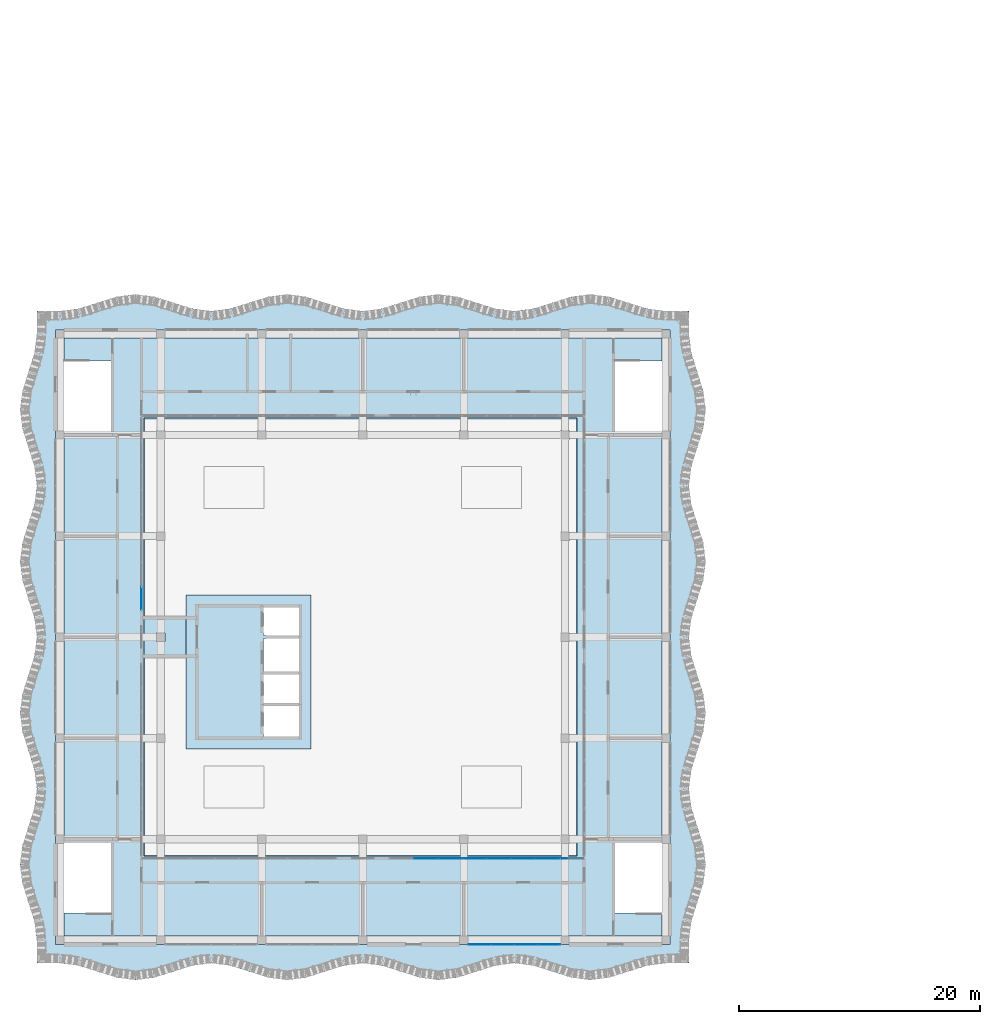
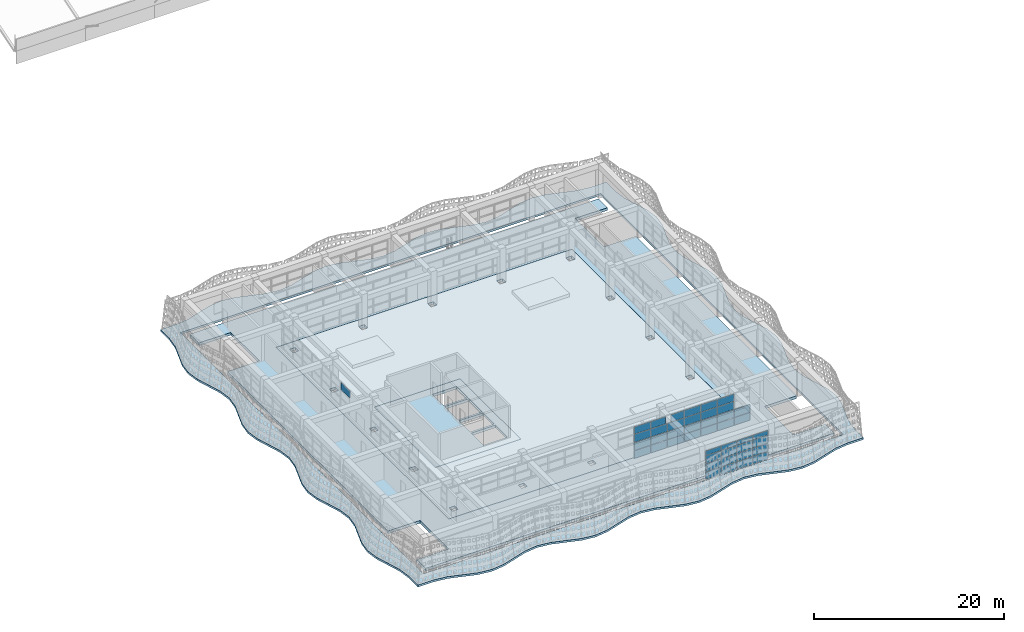
# One storey, part 29 of 85: 43 plates, 4 slabs, 3 elements without a shape of their own.
"""IFC4 building model written with IfcOpenShell, lengths in metres."""

from ifc_helpers import new_model, si_unit, direction, frame, origin, origin_2d, place, context, subcontext, project, spatial, polyline, rectangle, outline, extrude, material, layer, layer_set, type_object, element, aggregate, save


model = new_model("IFC4")

# Units and contexts
model_context = context("Model", 3, precision=1e-05, world=origin(), true_north=direction((0.0, 1.0)))
body_context = subcontext(model_context, "Body", "Model", "MODEL_VIEW")
ifc_project = project(units=[si_unit("LENGTHUNIT", "METRE"), si_unit("AREAUNIT", "SQUARE_METRE"), si_unit("VOLUMEUNIT", "CUBIC_METRE"), si_unit("PLANEANGLEUNIT", "RADIAN"), si_unit("MASSUNIT", "GRAM", prefix="KILO")], contexts=[model_context])

# Site, building, storey
site_placement = place(None, origin())
site = spatial("IfcSite", under=ifc_project, at=site_placement, CompositionType="ELEMENT")
building_placement = place(site_placement, origin())
building = spatial("IfcBuilding", under=site, at=building_placement, Name="Rain Tree Exposition and Congress Centre", CompositionType="ELEMENT")
storey_placement = place(building_placement, frame((0.0, 0.0, 15.0)))
storey = spatial("IfcBuildingStorey", under=building, at=storey_placement, Name="L03", CompositionType="ELEMENT", Elevation=15.0)

# Slabs
ifc_material_1 = material(Name="Concrete C40/50", Category="concrete")
ifc_layer_1 = layer(ifc_material_1, 0.25)
ifc_layer_set_1 = layer_set([ifc_layer_1], Name="Concrete C40/50")
slab_type_1 = type_object("IfcSlabType", Name="Wave ledge slab 250", PredefinedType="FLOOR", material=ifc_layer_set_1)
slab_1_placement = place(storey_placement, frame((0.0, 0.0, -0.25)))
element("IfcSlab", 1, at=slab_1_placement, inside=storey, type_object=slab_type_1, Name="wing/ledge/L03/01", PredefinedType="FLOOR", context=body_context, shape_type="SweptSolid", body=[
    extrude(outline(polyline([(-1.900390625, -1.900390625), (0.0, -1.900390625), (1.574951171875, -2.105224609375), (3.14990234375, -2.600341796875), (4.72509765625, -3.09521484375), (6.300048828125, -3.30029296875), (7.875, -3.09521484375), (9.449951171875, -2.600341796875), (11.02490234375, -2.105224609375), (12.60009765625, -1.900390625), (14.175048828125, -2.105224609375), (15.75, -2.600341796875), (17.324951171875, -3.09521484375), (18.89990234375, -3.30029296875), (20.47509765625, -3.09521484375), (22.050048828125, -2.600341796875), (23.625, -2.105224609375), (25.199951171875, -1.900390625), (26.77490234375, -2.105224609375), (28.35009765625, -2.600341796875), (29.925048828125, -3.09521484375), (31.5, -3.30029296875), (33.074951171875, -3.09521484375), (34.64990234375, -2.600341796875), (36.22509765625, -2.105224609375), (37.800048828125, -1.900390625), (39.375, -2.105224609375), (40.949951171875, -2.600341796875), (42.52490234375, -3.09521484375), (44.10009765625, -3.30029296875), (45.675048828125, -3.09521484375), (47.25, -2.600341796875), (48.824951171875, -2.105224609375), (50.39990234375, -1.900390625), (52.30029296875, -1.900390625), (52.30029296875, 0.0), (52.50537109375, 1.574951171875), (53.000244140625, 3.14990234375), (53.495361328125, 4.72509765625), (53.7001953125, 6.300048828125), (53.495361328125, 7.875), (53.000244140625, 9.449951171875), (52.50537109375, 11.02490234375), (52.30029296875, 12.60009765625), (52.50537109375, 14.175048828125), (53.000244140625, 15.75), (53.495361328125, 17.324951171875), (53.7001953125, 18.89990234375), (53.495361328125, 20.47509765625), (53.000244140625, 22.050048828125), (52.50537109375, 23.625), (52.30029296875, 25.199951171875), (52.50537109375, 26.77490234375), (53.000244140625, 28.35009765625), (53.495361328125, 29.925048828125), (53.7001953125, 31.5), (53.495361328125, 33.074951171875), (53.000244140625, 34.64990234375), (52.50537109375, 36.22509765625), (52.30029296875, 37.800048828125), (52.50537109375, 39.375), (53.000244140625, 40.949951171875), (53.495361328125, 42.52490234375), (53.7001953125, 44.10009765625), (53.495361328125, 45.675048828125), (53.000244140625, 47.25), (52.50537109375, 48.824951171875), (52.30029296875, 50.39990234375), (52.30029296875, 52.30029296875), (50.39990234375, 52.30029296875), (48.824951171875, 52.50537109375), (47.25, 53.000244140625), (45.675048828125, 53.495361328125), (44.10009765625, 53.7001953125), (42.52490234375, 53.495361328125), (40.949951171875, 53.000244140625), (39.375, 52.50537109375), (37.800048828125, 52.30029296875), (36.22509765625, 52.50537109375), (34.64990234375, 53.000244140625), (33.074951171875, 53.495361328125), (31.5, 53.7001953125), (29.925048828125, 53.495361328125), (28.35009765625, 53.000244140625), (26.77490234375, 52.50537109375), (25.199951171875, 52.30029296875), (23.625, 52.50537109375), (22.050048828125, 53.000244140625), (20.47509765625, 53.495361328125), (18.89990234375, 53.7001953125), (17.324951171875, 53.495361328125), (15.75, 53.000244140625), (14.175048828125, 52.50537109375), (12.60009765625, 52.30029296875), (11.02490234375, 52.50537109375), (9.449951171875, 53.000244140625), (7.875, 53.495361328125), (6.300048828125, 53.7001953125), (4.72509765625, 53.495361328125), (3.14990234375, 53.000244140625), (1.574951171875, 52.50537109375), (0.0, 52.30029296875), (-1.900390625, 52.30029296875), (-1.900390625, 50.39990234375), (-2.105224609375, 48.824951171875), (-2.600341796875, 47.25), (-3.09521484375, 45.675048828125), (-3.30029296875, 44.10009765625), (-3.09521484375, 42.52490234375), (-2.600341796875, 40.949951171875), (-2.105224609375, 39.375), (-1.900390625, 37.800048828125), (-2.105224609375, 36.22509765625), (-2.600341796875, 34.64990234375), (-3.09521484375, 33.074951171875), (-3.30029296875, 31.5), (-3.09521484375, 29.925048828125), (-2.600341796875, 28.35009765625), (-2.105224609375, 26.77490234375), (-1.900390625, 25.199951171875), (-2.105224609375, 23.625), (-2.600341796875, 22.050048828125), (-3.09521484375, 20.47509765625), (-3.30029296875, 18.89990234375), (-3.09521484375, 17.324951171875), (-2.600341796875, 15.75), (-2.105224609375, 14.175048828125), (-1.900390625, 12.60009765625), (-2.105224609375, 11.02490234375), (-2.600341796875, 9.449951171875), (-3.09521484375, 7.875), (-3.30029296875, 6.300048828125), (-3.09521484375, 4.72509765625), (-2.600341796875, 3.14990234375), (-2.105224609375, 1.574951171875), (-1.900390625, 0.0), (-1.900390625, -1.900390625)]), holes=[polyline([(50.75, 50.75), (50.75, -0.35009765625), (-0.35009765625, -0.35009765625), (-0.35009765625, 50.75), (50.75, 50.75)])]), origin(), (0.0, 0.0, 1.0), 0.25),
])
ifc_material_2 = material(Name="Precast concrete C50/60", Category="concrete")
ifc_layer_2 = layer(ifc_material_2, 0.35009765625)
ifc_layer_set_2 = layer_set([ifc_layer_2], Name="Precast concrete C50/60")
slab_type_2 = type_object("IfcSlabType", Name="Wing court terrace slab 350", PredefinedType="FLOOR", material=ifc_layer_set_2)
slab_2_placement = place(storey_placement, frame((0.0, 0.0, -0.35009765625)))
element("IfcSlab", 2, at=slab_2_placement, inside=storey, type_object=slab_type_2, Name="Roof court terrace slab 1", PredefinedType="FLOOR", context=body_context, shape_type="SweptSolid", body=[
    extrude(outline(polyline([(7.0, 43.39990234375), (7.0, 7.0), (43.0, 7.0), (43.0, 43.39990234375), (7.0, 43.39990234375)]), holes=[polyline([(8.75, 8.050048828125), (8.050048828125, 8.050048828125), (8.050048828125, 8.75), (8.75, 8.75), (8.75, 8.050048828125)]), polyline([(8.75, 17.14990234375), (8.75, 16.449951171875), (8.050048828125, 16.449951171875), (8.050048828125, 17.14990234375), (8.75, 17.14990234375)]), polyline([(8.75, 24.85009765625), (8.050048828125, 24.85009765625), (8.050048828125, 25.550048828125), (8.75, 25.550048828125), (8.75, 24.85009765625)]), polyline([(8.75, 33.25), (8.050048828125, 33.25), (8.050048828125, 33.949951171875), (8.75, 33.949951171875), (8.75, 33.25)]), polyline([(8.75, 42.35009765625), (8.75, 41.64990234375), (8.050048828125, 41.64990234375), (8.050048828125, 42.35009765625), (8.75, 42.35009765625)]), polyline([(17.14990234375, 8.050048828125), (16.449951171875, 8.050048828125), (16.449951171875, 8.75), (17.14990234375, 8.75), (17.14990234375, 8.050048828125)]), polyline([(25.550048828125, 8.050048828125), (24.85009765625, 8.050048828125), (24.85009765625, 8.75), (25.550048828125, 8.75), (25.550048828125, 8.050048828125)]), polyline([(33.949951171875, 8.75), (33.949951171875, 8.050048828125), (33.25, 8.050048828125), (33.25, 8.75), (33.949951171875, 8.75)]), polyline([(17.14990234375, 41.64990234375), (16.449951171875, 41.64990234375), (16.449951171875, 42.35009765625), (17.14990234375, 42.35009765625), (17.14990234375, 41.64990234375)]), polyline([(25.550048828125, 42.35009765625), (25.550048828125, 41.64990234375), (24.85009765625, 41.64990234375), (24.85009765625, 42.35009765625), (25.550048828125, 42.35009765625)]), polyline([(33.949951171875, 41.64990234375), (33.25, 41.64990234375), (33.25, 42.35009765625), (33.949951171875, 42.35009765625), (33.949951171875, 41.64990234375)]), polyline([(42.35009765625, 8.050048828125), (41.64990234375, 8.050048828125), (41.64990234375, 8.75), (42.35009765625, 8.75), (42.35009765625, 8.050048828125)]), polyline([(42.35009765625, 16.449951171875), (41.64990234375, 16.449951171875), (41.64990234375, 17.14990234375), (42.35009765625, 17.14990234375), (42.35009765625, 16.449951171875)]), polyline([(42.35009765625, 25.550048828125), (42.35009765625, 24.85009765625), (41.64990234375, 24.85009765625), (41.64990234375, 25.550048828125), (42.35009765625, 25.550048828125)]), polyline([(42.35009765625, 33.25), (41.64990234375, 33.25), (41.64990234375, 33.949951171875), (42.35009765625, 33.949951171875), (42.35009765625, 33.25)]), polyline([(42.35009765625, 41.64990234375), (41.64990234375, 41.64990234375), (41.64990234375, 42.35009765625), (42.35009765625, 42.35009765625), (42.35009765625, 41.64990234375)]), polyline([(10.5, 28.699951171875), (20.89990234375, 28.699951171875), (20.89990234375, 15.89990234375), (10.5, 15.89990234375), (10.5, 28.699951171875)])]), origin(), (0.0, 0.0, 1.0), 0.35009765625),
])

# Curtain wall, plates
ifc_material_3 = material(Name="Aluminium curtain wall", Category="aluminium")
curtain_wall_type = type_object("IfcCurtainWallType", Name="Wing curtain wall 1925", PredefinedType="NOTDEFINED", material=ifc_material_3)
curtain_wall_1_placement = place(storey_placement, origin())
curtain_wall_1 = element("IfcCurtainWall", 3, at=curtain_wall_1_placement, inside=storey, type_object=curtain_wall_type, Name="Curtain wall CWW403", PredefinedType="NOTDEFINED")
ifc_material_4 = material(Name="Double glazed unit", Category="glass")
ifc_layer_3 = layer(ifc_material_4, 0.028076171875)
ifc_layer_set_3 = layer_set([ifc_layer_3], Name="Double glazed unit")
plate_type = type_object("IfcPlateType", Name="Wing glazing panel 28", PredefinedType="CURTAIN_PANEL", material=ifc_layer_set_3)
plate_1_placement = place(storey_placement, frame((34.927490234375, -0.35009765625, 0.06005859375), z_axis=(0.0, 0.0, 1.0), x_axis=(1.0, 0.0, 0.0)))
plate_1 = element("IfcPlate", 4, at=plate_1_placement, type_object=plate_type, Name="CWW403 panel 1.1", PredefinedType="CURTAIN_PANEL", context=body_context, shape_type="SweptSolid", body=[
    extrude(rectangle(XDim=1.8349609375, YDim=0.028076171875, at=origin_2d()), origin(), (0.0, 0.0, 1.0), 0.9599609375),
])
plate_2_placement = place(storey_placement, frame((34.927490234375, -0.35009765625, 1.080078125), z_axis=(0.0, 0.0, 1.0), x_axis=(1.0, 0.0, 0.0)))
plate_2 = element("IfcPlate", 5, at=plate_2_placement, type_object=plate_type, Name="CWW403 panel 1.2", PredefinedType="CURTAIN_PANEL", context=body_context, shape_type="SweptSolid", body=[
    extrude(rectangle(XDim=1.8349609375, YDim=0.028076171875, at=origin_2d()), origin(), (0.0, 0.0, 1.0), 0.989990234375),
])
plate_3_placement = place(storey_placement, frame((34.927490234375, -0.35009765625, 2.1298828125), z_axis=(0.0, 0.0, 1.0), x_axis=(1.0, 0.0, 0.0)))
plate_3 = element("IfcPlate", 6, at=plate_3_placement, type_object=plate_type, Name="CWW403 panel 1.3", PredefinedType="CURTAIN_PANEL", context=body_context, shape_type="SweptSolid", body=[
    extrude(rectangle(XDim=1.8349609375, YDim=0.028076171875, at=origin_2d()), origin(), (0.0, 0.0, 1.0), 0.989990234375),
])
plate_4_placement = place(storey_placement, frame((34.927490234375, -0.35009765625, 3.179931640625), z_axis=(0.0, 0.0, 1.0), x_axis=(1.0, 0.0, 0.0)))
plate_4 = element("IfcPlate", 7, at=plate_4_placement, type_object=plate_type, Name="CWW403 panel 1.4", PredefinedType="CURTAIN_PANEL", context=body_context, shape_type="SweptSolid", body=[
    extrude(rectangle(XDim=1.8349609375, YDim=0.028076171875, at=origin_2d()), origin(), (0.0, 0.0, 1.0), 0.56005859375),
])
plate_5_placement = place(storey_placement, frame((36.83740234375, -0.35009765625, 0.06005859375), z_axis=(0.0, 0.0, 1.0), x_axis=(1.0, 0.0, 0.0)))
plate_5 = element("IfcPlate", 8, at=plate_5_placement, type_object=plate_type, Name="CWW403 panel 2.1", PredefinedType="CURTAIN_PANEL", context=body_context, shape_type="SweptSolid", body=[
    extrude(rectangle(XDim=1.864990234375, YDim=0.028076171875, at=origin_2d()), origin(), (0.0, 0.0, 1.0), 0.9599609375),
])
plate_6_placement = place(storey_placement, frame((36.83740234375, -0.35009765625, 1.080078125), z_axis=(0.0, 0.0, 1.0), x_axis=(1.0, 0.0, 0.0)))
plate_6 = element("IfcPlate", 9, at=plate_6_placement, type_object=plate_type, Name="CWW403 panel 2.2", PredefinedType="CURTAIN_PANEL", context=body_context, shape_type="SweptSolid", body=[
    extrude(rectangle(XDim=1.864990234375, YDim=0.028076171875, at=origin_2d()), origin(), (0.0, 0.0, 1.0), 0.989990234375),
])
plate_7_placement = place(storey_placement, frame((36.83740234375, -0.35009765625, 2.1298828125), z_axis=(0.0, 0.0, 1.0), x_axis=(1.0, 0.0, 0.0)))
plate_7 = element("IfcPlate", 10, at=plate_7_placement, type_object=plate_type, Name="CWW403 panel 2.3", PredefinedType="CURTAIN_PANEL", context=body_context, shape_type="SweptSolid", body=[
    extrude(rectangle(XDim=1.864990234375, YDim=0.028076171875, at=origin_2d()), origin(), (0.0, 0.0, 1.0), 0.989990234375),
])
plate_8_placement = place(storey_placement, frame((36.83740234375, -0.35009765625, 3.179931640625), z_axis=(0.0, 0.0, 1.0), x_axis=(1.0, 0.0, 0.0)))
plate_8 = element("IfcPlate", 11, at=plate_8_placement, type_object=plate_type, Name="CWW403 panel 2.4", PredefinedType="CURTAIN_PANEL", context=body_context, shape_type="SweptSolid", body=[
    extrude(rectangle(XDim=1.864990234375, YDim=0.028076171875, at=origin_2d()), origin(), (0.0, 0.0, 1.0), 0.56005859375),
])
plate_9_placement = place(storey_placement, frame((38.762451171875, -0.35009765625, 0.06005859375), z_axis=(0.0, 0.0, 1.0), x_axis=(1.0, 0.0, 0.0)))
plate_9 = element("IfcPlate", 12, at=plate_9_placement, type_object=plate_type, Name="CWW403 panel 3.1", PredefinedType="CURTAIN_PANEL", context=body_context, shape_type="SweptSolid", body=[
    extrude(rectangle(XDim=1.864990234375, YDim=0.028076171875, at=origin_2d()), origin(), (0.0, 0.0, 1.0), 0.9599609375),
])
plate_10_placement = place(storey_placement, frame((38.762451171875, -0.35009765625, 1.080078125), z_axis=(0.0, 0.0, 1.0), x_axis=(1.0, 0.0, 0.0)))
plate_10 = element("IfcPlate", 13, at=plate_10_placement, type_object=plate_type, Name="CWW403 panel 3.2", PredefinedType="CURTAIN_PANEL", context=body_context, shape_type="SweptSolid", body=[
    extrude(rectangle(XDim=1.864990234375, YDim=0.028076171875, at=origin_2d()), origin(), (0.0, 0.0, 1.0), 0.989990234375),
])
plate_11_placement = place(storey_placement, frame((38.762451171875, -0.35009765625, 2.1298828125), z_axis=(0.0, 0.0, 1.0), x_axis=(1.0, 0.0, 0.0)))
plate_11 = element("IfcPlate", 14, at=plate_11_placement, type_object=plate_type, Name="CWW403 panel 3.3", PredefinedType="CURTAIN_PANEL", context=body_context, shape_type="SweptSolid", body=[
    extrude(rectangle(XDim=1.864990234375, YDim=0.028076171875, at=origin_2d()), origin(), (0.0, 0.0, 1.0), 0.989990234375),
])
plate_12_placement = place(storey_placement, frame((38.762451171875, -0.35009765625, 3.179931640625), z_axis=(0.0, 0.0, 1.0), x_axis=(1.0, 0.0, 0.0)))
plate_12 = element("IfcPlate", 15, at=plate_12_placement, type_object=plate_type, Name="CWW403 panel 3.4", PredefinedType="CURTAIN_PANEL", context=body_context, shape_type="SweptSolid", body=[
    extrude(rectangle(XDim=1.864990234375, YDim=0.028076171875, at=origin_2d()), origin(), (0.0, 0.0, 1.0), 0.56005859375),
])
plate_13_placement = place(storey_placement, frame((40.672607421875, -0.35009765625, 0.06005859375), z_axis=(0.0, 0.0, 1.0), x_axis=(1.0, 0.0, 0.0)))
plate_13 = element("IfcPlate", 16, at=plate_13_placement, type_object=plate_type, Name="CWW403 panel 4.1", PredefinedType="CURTAIN_PANEL", context=body_context, shape_type="SweptSolid", body=[
    extrude(rectangle(XDim=1.8349609375, YDim=0.028076171875, at=origin_2d()), origin(), (0.0, 0.0, 1.0), 0.9599609375),
])
plate_14_placement = place(storey_placement, frame((40.672607421875, -0.35009765625, 1.080078125), z_axis=(0.0, 0.0, 1.0), x_axis=(1.0, 0.0, 0.0)))
plate_14 = element("IfcPlate", 17, at=plate_14_placement, type_object=plate_type, Name="CWW403 panel 4.2", PredefinedType="CURTAIN_PANEL", context=body_context, shape_type="SweptSolid", body=[
    extrude(rectangle(XDim=1.8349609375, YDim=0.028076171875, at=origin_2d()), origin(), (0.0, 0.0, 1.0), 0.989990234375),
])
plate_15_placement = place(storey_placement, frame((40.672607421875, -0.35009765625, 2.1298828125), z_axis=(0.0, 0.0, 1.0), x_axis=(1.0, 0.0, 0.0)))
plate_15 = element("IfcPlate", 18, at=plate_15_placement, type_object=plate_type, Name="CWW403 panel 4.3", PredefinedType="CURTAIN_PANEL", context=body_context, shape_type="SweptSolid", body=[
    extrude(rectangle(XDim=1.8349609375, YDim=0.028076171875, at=origin_2d()), origin(), (0.0, 0.0, 1.0), 0.989990234375),
])
plate_16_placement = place(storey_placement, frame((40.672607421875, -0.35009765625, 3.179931640625), z_axis=(0.0, 0.0, 1.0), x_axis=(1.0, 0.0, 0.0)))
plate_16 = element("IfcPlate", 19, at=plate_16_placement, type_object=plate_type, Name="CWW403 panel 4.4", PredefinedType="CURTAIN_PANEL", context=body_context, shape_type="SweptSolid", body=[
    extrude(rectangle(XDim=1.8349609375, YDim=0.028076171875, at=origin_2d()), origin(), (0.0, 0.0, 1.0), 0.56005859375),
])
aggregate(curtain_wall_1, [plate_1, plate_2, plate_3, plate_4, plate_5, plate_6, plate_7, plate_8, plate_9, plate_10, plate_11, plate_12, plate_13, plate_14, plate_15, plate_16])

curtain_wall_2_placement = place(storey_placement, origin())
curtain_wall_2 = element("IfcCurtainWall", 20, at=curtain_wall_2_placement, inside=storey, type_object=curtain_wall_type, Name="Curtain wall CWW502", PredefinedType="NOTDEFINED")
plate_17_placement = place(storey_placement, frame((30.4375, 6.800048828125, 0.06005859375), z_axis=(0.0, 0.0, 1.0), x_axis=(1.0, 0.0, 0.0)))
plate_17 = element("IfcPlate", 21, at=plate_17_placement, type_object=plate_type, Name="CWW502 panel 2.1", PredefinedType="CURTAIN_PANEL", context=body_context, shape_type="SweptSolid", body=[
    extrude(rectangle(XDim=1.965087890625, YDim=0.028076171875, at=origin_2d()), origin(), (0.0, 0.0, 1.0), 0.9599609375),
])
plate_18_placement = place(storey_placement, frame((30.4375, 6.800048828125, 1.080078125), z_axis=(0.0, 0.0, 1.0), x_axis=(1.0, 0.0, 0.0)))
plate_18 = element("IfcPlate", 22, at=plate_18_placement, type_object=plate_type, Name="CWW502 panel 2.2", PredefinedType="CURTAIN_PANEL", context=body_context, shape_type="SweptSolid", body=[
    extrude(rectangle(XDim=1.965087890625, YDim=0.028076171875, at=origin_2d()), origin(), (0.0, 0.0, 1.0), 0.989990234375),
])
plate_19_placement = place(storey_placement, frame((30.4375, 6.800048828125, 2.1298828125), z_axis=(0.0, 0.0, 1.0), x_axis=(1.0, 0.0, 0.0)))
plate_19 = element("IfcPlate", 23, at=plate_19_placement, type_object=plate_type, Name="CWW502 panel 2.3", PredefinedType="CURTAIN_PANEL", context=body_context, shape_type="SweptSolid", body=[
    extrude(rectangle(XDim=1.965087890625, YDim=0.028076171875, at=origin_2d()), origin(), (0.0, 0.0, 1.0), 0.989990234375),
])
plate_20_placement = place(storey_placement, frame((30.4375, 6.800048828125, 3.18017578125), z_axis=(0.0, 0.0, 1.0), x_axis=(1.0, 0.0, 0.0)))
plate_20 = element("IfcPlate", 24, at=plate_20_placement, type_object=plate_type, Name="CWW502 panel 2.4", PredefinedType="CURTAIN_PANEL", context=body_context, shape_type="SweptSolid", body=[
    extrude(rectangle(XDim=1.965087890625, YDim=0.028076171875, at=origin_2d()), origin(), (0.0, 0.0, 1.0), 0.909912109375),
])
plate_21_placement = place(storey_placement, frame((32.46240234375, 6.800048828125, 0.06005859375), z_axis=(0.0, 0.0, 1.0), x_axis=(1.0, 0.0, 0.0)))
plate_21 = element("IfcPlate", 25, at=plate_21_placement, type_object=plate_type, Name="CWW502 panel 3.1", PredefinedType="CURTAIN_PANEL", context=body_context, shape_type="SweptSolid", body=[
    extrude(rectangle(XDim=1.965087890625, YDim=0.028076171875, at=origin_2d()), origin(), (0.0, 0.0, 1.0), 0.9599609375),
])
plate_22_placement = place(storey_placement, frame((32.46240234375, 6.800048828125, 1.080078125), z_axis=(0.0, 0.0, 1.0), x_axis=(1.0, 0.0, 0.0)))
plate_22 = element("IfcPlate", 26, at=plate_22_placement, type_object=plate_type, Name="CWW502 panel 3.2", PredefinedType="CURTAIN_PANEL", context=body_context, shape_type="SweptSolid", body=[
    extrude(rectangle(XDim=1.965087890625, YDim=0.028076171875, at=origin_2d()), origin(), (0.0, 0.0, 1.0), 0.989990234375),
])
plate_23_placement = place(storey_placement, frame((32.46240234375, 6.800048828125, 2.1298828125), z_axis=(0.0, 0.0, 1.0), x_axis=(1.0, 0.0, 0.0)))
plate_23 = element("IfcPlate", 27, at=plate_23_placement, type_object=plate_type, Name="CWW502 panel 3.3", PredefinedType="CURTAIN_PANEL", context=body_context, shape_type="SweptSolid", body=[
    extrude(rectangle(XDim=1.965087890625, YDim=0.028076171875, at=origin_2d()), origin(), (0.0, 0.0, 1.0), 0.989990234375),
])
plate_24_placement = place(storey_placement, frame((32.375, 6.800048828125, 3.18017578125), z_axis=(0.0, 0.0, 1.0), x_axis=(1.0, 0.0, 0.0)))
plate_24 = element("IfcPlate", 28, at=plate_24_placement, type_object=plate_type, Name="CWW502 panel 3.4", PredefinedType="CURTAIN_PANEL", context=body_context, shape_type="SweptSolid", body=[
    extrude(rectangle(XDim=1.7900390625, YDim=0.028076171875, at=origin_2d()), origin(), (0.0, 0.0, 1.0), 0.909912109375),
])
plate_25_placement = place(storey_placement, frame((34.487548828125, 6.800048828125, 0.06005859375), z_axis=(0.0, 0.0, 1.0), x_axis=(1.0, 0.0, 0.0)))
plate_25 = element("IfcPlate", 29, at=plate_25_placement, type_object=plate_type, Name="CWW502 panel 4.1", PredefinedType="CURTAIN_PANEL", context=body_context, shape_type="SweptSolid", body=[
    extrude(rectangle(XDim=1.965087890625, YDim=0.028076171875, at=origin_2d()), origin(), (0.0, 0.0, 1.0), 0.9599609375),
])
plate_26_placement = place(storey_placement, frame((34.487548828125, 6.800048828125, 1.080078125), z_axis=(0.0, 0.0, 1.0), x_axis=(1.0, 0.0, 0.0)))
plate_26 = element("IfcPlate", 30, at=plate_26_placement, type_object=plate_type, Name="CWW502 panel 4.2", PredefinedType="CURTAIN_PANEL", context=body_context, shape_type="SweptSolid", body=[
    extrude(rectangle(XDim=1.965087890625, YDim=0.028076171875, at=origin_2d()), origin(), (0.0, 0.0, 1.0), 0.989990234375),
])
plate_27_placement = place(storey_placement, frame((34.487548828125, 6.800048828125, 2.1298828125), z_axis=(0.0, 0.0, 1.0), x_axis=(1.0, 0.0, 0.0)))
plate_27 = element("IfcPlate", 31, at=plate_27_placement, type_object=plate_type, Name="CWW502 panel 4.3", PredefinedType="CURTAIN_PANEL", context=body_context, shape_type="SweptSolid", body=[
    extrude(rectangle(XDim=1.965087890625, YDim=0.028076171875, at=origin_2d()), origin(), (0.0, 0.0, 1.0), 0.989990234375),
])
plate_28_placement = place(storey_placement, frame((34.699951171875, 6.800048828125, 3.18017578125), z_axis=(0.0, 0.0, 1.0), x_axis=(1.0, 0.0, 0.0)))
plate_28 = element("IfcPlate", 32, at=plate_28_placement, type_object=plate_type, Name="CWW502 panel 4.4", PredefinedType="CURTAIN_PANEL", context=body_context, shape_type="SweptSolid", body=[
    extrude(rectangle(XDim=1.5400390625, YDim=0.028076171875, at=origin_2d()), origin(), (0.0, 0.0, 1.0), 0.909912109375),
])
plate_29_placement = place(storey_placement, frame((36.512451171875, 6.800048828125, 0.06005859375), z_axis=(0.0, 0.0, 1.0), x_axis=(1.0, 0.0, 0.0)))
plate_29 = element("IfcPlate", 33, at=plate_29_placement, type_object=plate_type, Name="CWW502 panel 5.1", PredefinedType="CURTAIN_PANEL", context=body_context, shape_type="SweptSolid", body=[
    extrude(rectangle(XDim=1.965087890625, YDim=0.028076171875, at=origin_2d()), origin(), (0.0, 0.0, 1.0), 0.9599609375),
])
plate_30_placement = place(storey_placement, frame((36.512451171875, 6.800048828125, 1.080078125), z_axis=(0.0, 0.0, 1.0), x_axis=(1.0, 0.0, 0.0)))
plate_30 = element("IfcPlate", 34, at=plate_30_placement, type_object=plate_type, Name="CWW502 panel 5.2", PredefinedType="CURTAIN_PANEL", context=body_context, shape_type="SweptSolid", body=[
    extrude(rectangle(XDim=1.965087890625, YDim=0.028076171875, at=origin_2d()), origin(), (0.0, 0.0, 1.0), 0.989990234375),
])
plate_31_placement = place(storey_placement, frame((36.512451171875, 6.800048828125, 2.1298828125), z_axis=(0.0, 0.0, 1.0), x_axis=(1.0, 0.0, 0.0)))
plate_31 = element("IfcPlate", 35, at=plate_31_placement, type_object=plate_type, Name="CWW502 panel 5.3", PredefinedType="CURTAIN_PANEL", context=body_context, shape_type="SweptSolid", body=[
    extrude(rectangle(XDim=1.965087890625, YDim=0.028076171875, at=origin_2d()), origin(), (0.0, 0.0, 1.0), 0.989990234375),
])
plate_32_placement = place(storey_placement, frame((36.512451171875, 6.800048828125, 3.18017578125), z_axis=(0.0, 0.0, 1.0), x_axis=(1.0, 0.0, 0.0)))
plate_32 = element("IfcPlate", 36, at=plate_32_placement, type_object=plate_type, Name="CWW502 panel 5.4", PredefinedType="CURTAIN_PANEL", context=body_context, shape_type="SweptSolid", body=[
    extrude(rectangle(XDim=1.965087890625, YDim=0.028076171875, at=origin_2d()), origin(), (0.0, 0.0, 1.0), 0.909912109375),
])
plate_33_placement = place(storey_placement, frame((38.53759765625, 6.800048828125, 0.06005859375), z_axis=(0.0, 0.0, 1.0), x_axis=(1.0, 0.0, 0.0)))
plate_33 = element("IfcPlate", 37, at=plate_33_placement, type_object=plate_type, Name="CWW502 panel 6.1", PredefinedType="CURTAIN_PANEL", context=body_context, shape_type="SweptSolid", body=[
    extrude(rectangle(XDim=1.965087890625, YDim=0.028076171875, at=origin_2d()), origin(), (0.0, 0.0, 1.0), 0.9599609375),
])
plate_34_placement = place(storey_placement, frame((38.53759765625, 6.800048828125, 1.080078125), z_axis=(0.0, 0.0, 1.0), x_axis=(1.0, 0.0, 0.0)))
plate_34 = element("IfcPlate", 38, at=plate_34_placement, type_object=plate_type, Name="CWW502 panel 6.2", PredefinedType="CURTAIN_PANEL", context=body_context, shape_type="SweptSolid", body=[
    extrude(rectangle(XDim=1.965087890625, YDim=0.028076171875, at=origin_2d()), origin(), (0.0, 0.0, 1.0), 0.989990234375),
])
plate_35_placement = place(storey_placement, frame((38.53759765625, 6.800048828125, 2.1298828125), z_axis=(0.0, 0.0, 1.0), x_axis=(1.0, 0.0, 0.0)))
plate_35 = element("IfcPlate", 39, at=plate_35_placement, type_object=plate_type, Name="CWW502 panel 6.3", PredefinedType="CURTAIN_PANEL", context=body_context, shape_type="SweptSolid", body=[
    extrude(rectangle(XDim=1.965087890625, YDim=0.028076171875, at=origin_2d()), origin(), (0.0, 0.0, 1.0), 0.989990234375),
])
plate_36_placement = place(storey_placement, frame((38.53759765625, 6.800048828125, 3.18017578125), z_axis=(0.0, 0.0, 1.0), x_axis=(1.0, 0.0, 0.0)))
plate_36 = element("IfcPlate", 40, at=plate_36_placement, type_object=plate_type, Name="CWW502 panel 6.4", PredefinedType="CURTAIN_PANEL", context=body_context, shape_type="SweptSolid", body=[
    extrude(rectangle(XDim=1.965087890625, YDim=0.028076171875, at=origin_2d()), origin(), (0.0, 0.0, 1.0), 0.909912109375),
])
plate_37_placement = place(storey_placement, frame((40.5625, 6.800048828125, 0.06005859375), z_axis=(0.0, 0.0, 1.0), x_axis=(1.0, 0.0, 0.0)))
plate_37 = element("IfcPlate", 41, at=plate_37_placement, type_object=plate_type, Name="CWW502 panel 7.1", PredefinedType="CURTAIN_PANEL", context=body_context, shape_type="SweptSolid", body=[
    extrude(rectangle(XDim=1.965087890625, YDim=0.028076171875, at=origin_2d()), origin(), (0.0, 0.0, 1.0), 0.9599609375),
])
plate_38_placement = place(storey_placement, frame((40.5625, 6.800048828125, 1.080078125), z_axis=(0.0, 0.0, 1.0), x_axis=(1.0, 0.0, 0.0)))
plate_38 = element("IfcPlate", 42, at=plate_38_placement, type_object=plate_type, Name="CWW502 panel 7.2", PredefinedType="CURTAIN_PANEL", context=body_context, shape_type="SweptSolid", body=[
    extrude(rectangle(XDim=1.965087890625, YDim=0.028076171875, at=origin_2d()), origin(), (0.0, 0.0, 1.0), 0.989990234375),
])
plate_39_placement = place(storey_placement, frame((40.5625, 6.800048828125, 2.1298828125), z_axis=(0.0, 0.0, 1.0), x_axis=(1.0, 0.0, 0.0)))
plate_39 = element("IfcPlate", 43, at=plate_39_placement, type_object=plate_type, Name="CWW502 panel 7.3", PredefinedType="CURTAIN_PANEL", context=body_context, shape_type="SweptSolid", body=[
    extrude(rectangle(XDim=1.965087890625, YDim=0.028076171875, at=origin_2d()), origin(), (0.0, 0.0, 1.0), 0.989990234375),
])
plate_40_placement = place(storey_placement, frame((40.5625, 6.800048828125, 3.18017578125), z_axis=(0.0, 0.0, 1.0), x_axis=(1.0, 0.0, 0.0)))
plate_40 = element("IfcPlate", 44, at=plate_40_placement, type_object=plate_type, Name="CWW502 panel 7.4", PredefinedType="CURTAIN_PANEL", context=body_context, shape_type="SweptSolid", body=[
    extrude(rectangle(XDim=1.965087890625, YDim=0.028076171875, at=origin_2d()), origin(), (0.0, 0.0, 1.0), 0.909912109375),
])
plate_41_placement = place(storey_placement, frame((42.572509765625, 6.800048828125, 0.06005859375), z_axis=(0.0, 0.0, 1.0), x_axis=(1.0, 0.0, 0.0)))
plate_41 = element("IfcPlate", 45, at=plate_41_placement, type_object=plate_type, Name="CWW502 panel 8.1", PredefinedType="CURTAIN_PANEL", context=body_context, shape_type="SweptSolid", body=[
    extrude(rectangle(XDim=1.93505859375, YDim=0.028076171875, at=origin_2d()), origin(), (0.0, 0.0, 1.0), 0.9599609375),
])
plate_42_placement = place(storey_placement, frame((42.572509765625, 6.800048828125, 1.080078125), z_axis=(0.0, 0.0, 1.0), x_axis=(1.0, 0.0, 0.0)))
plate_42 = element("IfcPlate", 46, at=plate_42_placement, type_object=plate_type, Name="CWW502 panel 8.2", PredefinedType="CURTAIN_PANEL", context=body_context, shape_type="SweptSolid", body=[
    extrude(rectangle(XDim=1.93505859375, YDim=0.028076171875, at=origin_2d()), origin(), (0.0, 0.0, 1.0), 0.989990234375),
])
aggregate(curtain_wall_2, [plate_17, plate_18, plate_19, plate_20, plate_21, plate_22, plate_23, plate_24, plate_25, plate_26, plate_27, plate_28, plate_29, plate_30, plate_31, plate_32, plate_33, plate_34, plate_35, plate_36, plate_37, plate_38, plate_39, plate_40, plate_41, plate_42])

# Curtain wall, plate
curtain_wall_3_placement = place(storey_placement, origin())
curtain_wall_3 = element("IfcCurtainWall", 47, at=curtain_wall_3_placement, inside=storey, type_object=curtain_wall_type, Name="Curtain wall CWW506", PredefinedType="NOTDEFINED")
plate_43_placement = place(storey_placement, frame((6.800048828125, 28.418212890625, 3.18017578125), z_axis=(0.0, 0.0, 1.0), x_axis=(0.0, 1.0, 0.0)))
plate_43 = element("IfcPlate", 48, at=plate_43_placement, type_object=plate_type, Name="CWW506 panel 1.4", PredefinedType="CURTAIN_PANEL", context=body_context, shape_type="SweptSolid", body=[
    extrude(rectangle(XDim=1.916259765625, YDim=0.028076171875, at=origin_2d()), origin(), (0.0, 0.0, 1.0), 0.909912109375),
])
aggregate(curtain_wall_3, [plate_43])

# Slabs
ifc_material_5 = material(Name="Precast concrete C50/60", Category="concrete")
ifc_layer_4 = layer(ifc_material_5, 0.35009765625)
ifc_layer_set_4 = layer_set([ifc_layer_4], Name="Precast concrete C50/60")
slab_type_3 = type_object("IfcSlabType", Name="Wing precast hollow-core floor 350", PredefinedType="FLOOR", material=ifc_layer_set_4)
slab_3_placement = place(storey_placement, frame((0.0, 0.0, -0.35009765625)))
element("IfcSlab", 49, at=slab_3_placement, inside=storey, type_object=slab_type_3, Name="wing/slab/L03/01", PredefinedType="FLOOR", context=body_context, shape_type="SweptSolid", body=[
    extrude(outline(polyline([(20.89990234375, 28.699951171875), (10.5, 28.699951171875), (10.5, 15.89990234375), (20.89990234375, 15.89990234375), (20.89990234375, 28.699951171875)]), holes=[polyline([(19.875, 16.925048828125), (16.949951171875, 16.925048828125), (16.949951171875, 19.47509765625), (19.875, 19.47509765625), (19.875, 16.925048828125)]), polyline([(19.875, 19.72509765625), (16.949951171875, 19.72509765625), (16.949951171875, 22.074951171875), (19.875, 22.074951171875), (19.875, 19.72509765625)]), polyline([(19.875, 25.074951171875), (19.875, 22.324951171875), (16.949951171875, 22.324951171875), (16.949951171875, 25.074951171875), (19.875, 25.074951171875)]), polyline([(19.875, 25.324951171875), (16.949951171875, 25.324951171875), (16.949951171875, 27.675048828125), (19.875, 27.675048828125), (19.875, 25.324951171875)])]), origin(), (0.0, 0.0, 1.0), 0.35009765625),
])
slab_4_placement = place(storey_placement, frame((0.0, 0.0, -0.35009765625)))
element("IfcSlab", 50, at=slab_4_placement, inside=storey, type_object=slab_type_3, Name="wing/slab/L03/02", PredefinedType="FLOOR", context=body_context, shape_type="SweptSolid", body=[
    extrude(outline(polyline([(42.35009765625, 0.35009765625), (50.050048828125, 0.35009765625), (50.050048828125, 2.251953125), (46.14990234375, 2.251953125), (46.14990234375, 8.27490234375), (50.050048828125, 8.27490234375), (50.050048828125, 8.75), (50.050048828125, 16.449951171875), (50.050048828125, 17.14990234375), (50.050048828125, 24.85009765625), (50.050048828125, 25.550048828125), (50.050048828125, 33.25), (50.050048828125, 33.949951171875), (50.050048828125, 41.64990234375), (50.050048828125, 42.125), (46.14990234375, 42.125), (46.14990234375, 48.14794921875), (50.050048828125, 48.14794921875), (50.050048828125, 50.050048828125), (42.35009765625, 50.050048828125), (41.64990234375, 50.050048828125), (33.949951171875, 50.050048828125), (33.25, 50.050048828125), (25.550048828125, 50.050048828125), (24.85009765625, 50.050048828125), (17.14990234375, 50.050048828125), (16.449951171875, 50.050048828125), (8.75, 50.050048828125), (8.050048828125, 50.050048828125), (0.35009765625, 50.050048828125), (0.35009765625, 48.14794921875), (4.25, 48.14794921875), (4.25, 42.125), (0.35009765625, 42.125), (0.35009765625, 41.64990234375), (0.35009765625, 33.949951171875), (0.35009765625, 33.25), (0.35009765625, 25.550048828125), (0.35009765625, 24.85009765625), (0.35009765625, 17.14990234375), (0.35009765625, 16.449951171875), (0.35009765625, 8.75), (0.35009765625, 8.27490234375), (4.25, 8.27490234375), (4.25, 2.251953125), (0.35009765625, 2.251953125), (0.35009765625, 0.35009765625), (8.050048828125, 0.35009765625), (8.75, 0.35009765625), (16.449951171875, 0.35009765625), (17.14990234375, 0.35009765625), (24.85009765625, 0.35009765625), (25.550048828125, 0.35009765625), (33.25, 0.35009765625), (33.949951171875, 0.35009765625), (41.64990234375, 0.35009765625), (42.35009765625, 0.35009765625)]), holes=[polyline([(7.0, 7.0), (7.0, 43.39990234375), (43.0, 43.39990234375), (43.0, 7.0), (7.0, 7.0)])]), origin(), (0.0, 0.0, 1.0), 0.35009765625),
])

save(model, "model.ifc")
